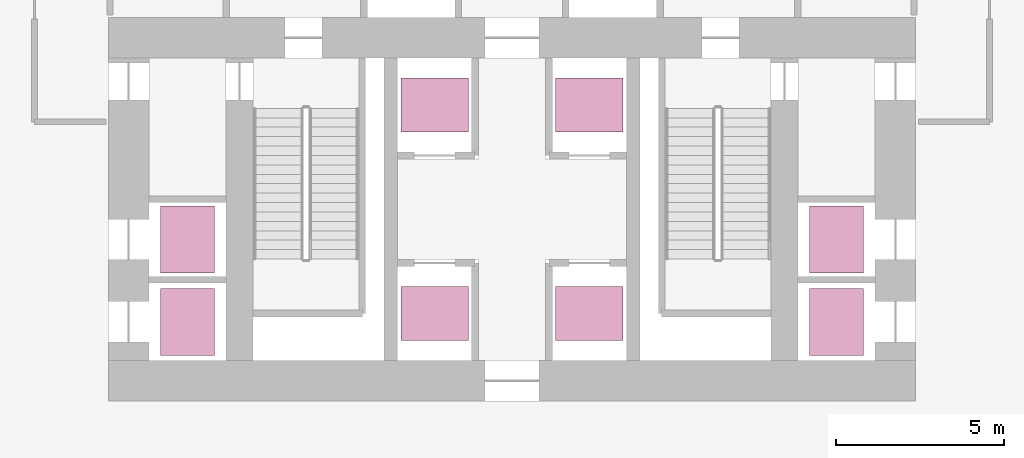
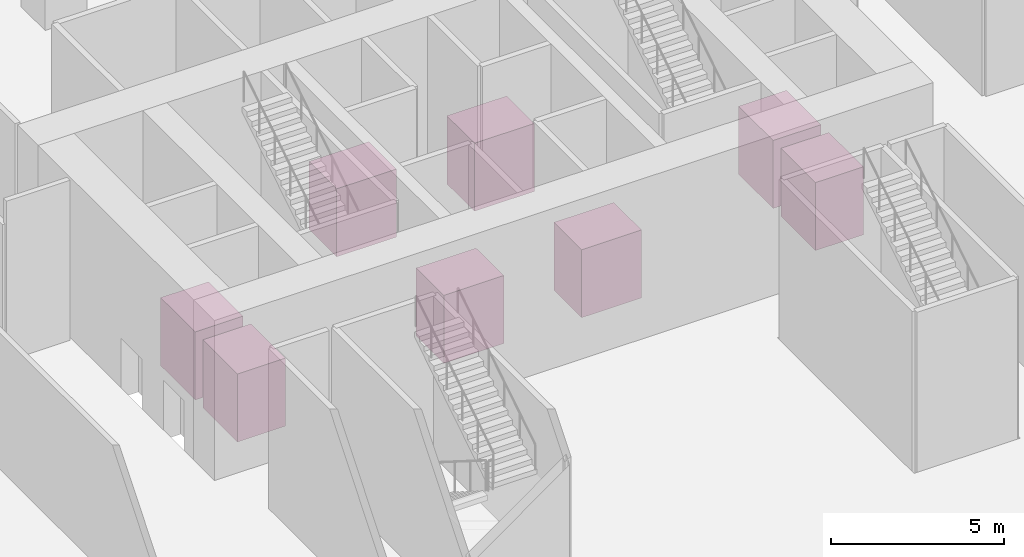
# One storey, part 25 of 25: 8 transport elements.
"""IFC4 building model written with IfcOpenShell, lengths in metres."""

from ifc_helpers import new_model, si_unit, direction, frame, origin, origin_2d, place, context, subcontext, project, spatial, rectangle, extrude, material, type_object, element, save


model = new_model("IFC4")

# Units and contexts
model_context = context("Model", 3, precision=1e-05, world=origin(), true_north=direction((0.0, 1.0)))
body_context = subcontext(model_context, "Body", "Model", "MODEL_VIEW")
ifc_project = project(units=[si_unit("LENGTHUNIT", "METRE"), si_unit("AREAUNIT", "SQUARE_METRE"), si_unit("VOLUMEUNIT", "CUBIC_METRE"), si_unit("PLANEANGLEUNIT", "RADIAN"), si_unit("MASSUNIT", "GRAM", prefix="KILO")], contexts=[model_context])

# Site, building, storey
site_placement = place(None, origin())
site = spatial("IfcSite", under=ifc_project, at=site_placement, CompositionType="ELEMENT")
building_placement = place(site_placement, origin())
building = spatial("IfcBuilding", under=site, at=building_placement, Name="Ostrander Bayou Hotel Tower", CompositionType="ELEMENT")
storey_placement = place(building_placement, origin())
storey = spatial("IfcBuildingStorey", under=building, at=storey_placement, Name="L00", CompositionType="ELEMENT", Elevation=0.0)

# Transport elements
ifc_material = material(Name="ELV1 passenger lift car")
transport_element_type = type_object("IfcTransportElementType", Name="ELV1 passenger lift car", PredefinedType="ELEVATOR", material=ifc_material)
for number, where, z_axis, x_axis, name in (
    (1, (-2.300048828125, 0.89990234375, 0.0), (0.0, 0.0, 1.0), (1.0, 0.0, 0.0), "Passenger lift HR1"),
    (2, (2.300048828125, 0.89990234375, 0.0), (0.0, 0.0, 1.0), (1.0, 0.0, 0.0), "Passenger lift HR2"),
    (3, (-2.300048828125, 7.10009765625, 0.0), (0.0, 0.0, 1.0), (1.0, 0.0, 0.0), "Passenger lift HR3"),
    (4, (2.300048828125, 7.10009765625, 0.0), (0.0, 0.0, 1.0), (1.0, 0.0, 0.0), "Passenger lift HR4"),
):
    element("IfcTransportElement", number, at=place(storey_placement, frame(where, z_axis=z_axis, x_axis=x_axis)), inside=storey, type_object=transport_element_type, Name=name, PredefinedType="ELEVATOR", context=body_context, shape_type="SweptSolid", body=[
        extrude(rectangle(XDim=2.0, YDim=1.60009765625, at=origin_2d()), origin(), (0.0, 0.0, 1.0), 2.39990234375),
    ])
for number, where, z_axis, x_axis, name in (
    (5, (-9.64990234375, 0.64990234375, 0.0), (0.0, 0.0, 1.0), (1.0, 0.0, 0.0), "Passenger lift LR1"),
    (6, (-9.64990234375, 3.10009765625, 0.0), (0.0, 0.0, 1.0), (1.0, 0.0, 0.0), "Passenger lift LR2"),
    (7, (9.64990234375, 0.64990234375, 0.0), (0.0, 0.0, 1.0), (1.0, 0.0, 0.0), "Passenger lift LR3"),
    (8, (9.64990234375, 3.10009765625, 0.0), (0.0, 0.0, 1.0), (1.0, 0.0, 0.0), "Passenger lift LR4"),
):
    element("IfcTransportElement", number, at=place(storey_placement, frame(where, z_axis=z_axis, x_axis=x_axis)), inside=storey, type_object=transport_element_type, Name=name, PredefinedType="ELEVATOR", context=body_context, shape_type="SweptSolid", body=[
        extrude(rectangle(XDim=1.60009765625, YDim=2.0, at=origin_2d()), origin(), (0.0, 0.0, 1.0), 2.39990234375),
    ])

save(model, "model.ifc")
